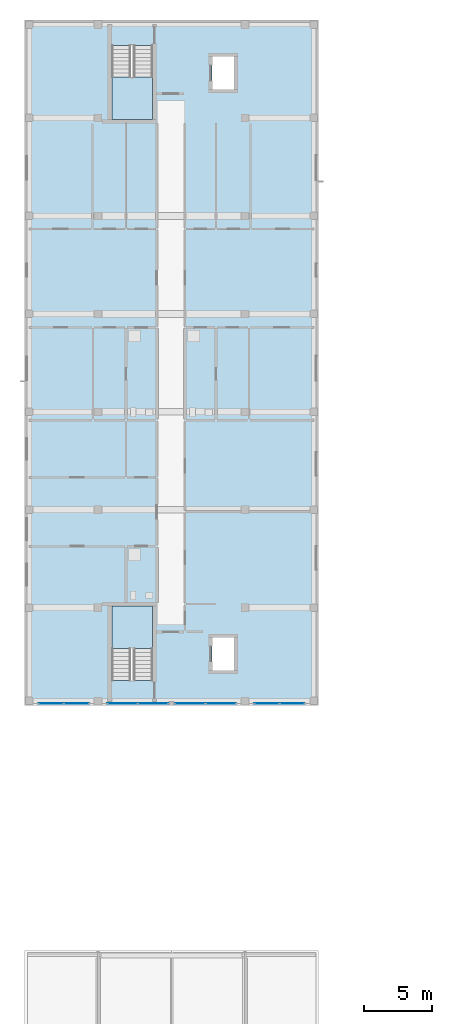
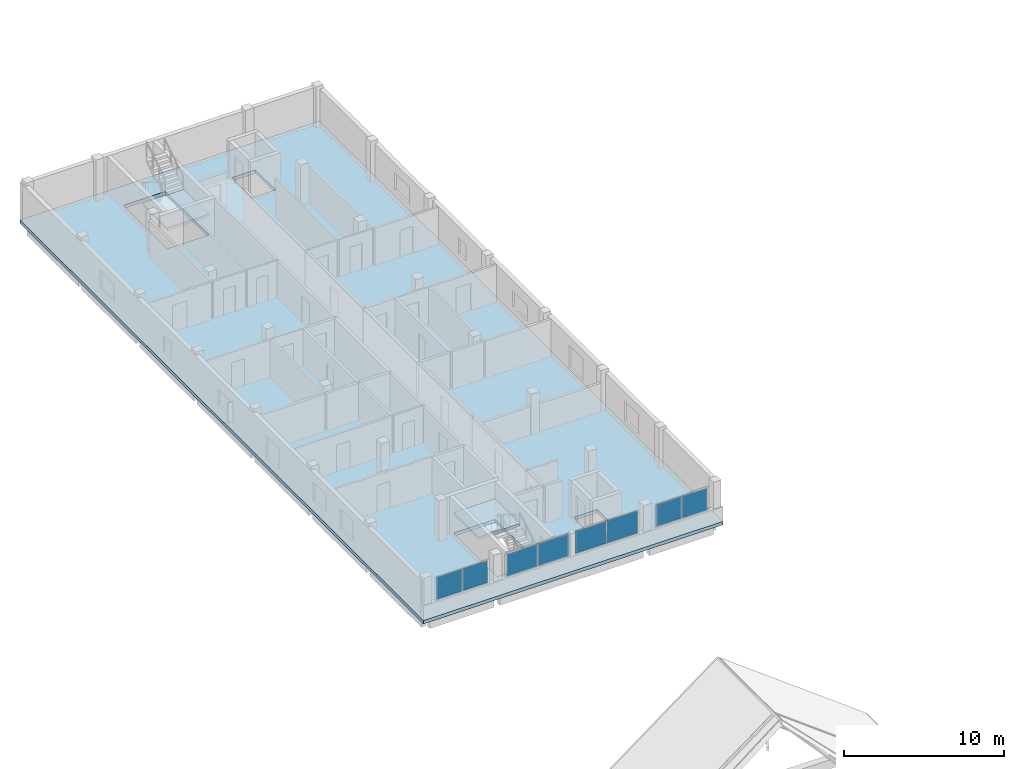
# One storey, part 8 of 35: 8 plates, 3 slabs, 6 elements without a shape of their own.
"""IFC4 building model written with IfcOpenShell, lengths in metres."""

from ifc_helpers import new_model, si_unit, derived_unit, direction, frame, origin, origin_2d, place, context, subcontext, project, spatial, polyline, rectangle, outline, extrude, material, layer, layer_set, type_object, element, aggregate, save


model = new_model("IFC4")

# Units and contexts
model_context = context("Model", 3, precision=1e-05, world=origin(), true_north=direction((0.0, 1.0)))
body_context = subcontext(model_context, "Body", "Model", "MODEL_VIEW")
ifc_project = project(units=[si_unit("LENGTHUNIT", "METRE"), si_unit("AREAUNIT", "SQUARE_METRE"), si_unit("VOLUMEUNIT", "CUBIC_METRE"), si_unit("PLANEANGLEUNIT", "RADIAN"), si_unit("MASSUNIT", "GRAM", prefix="KILO"), derived_unit("THERMALTRANSMITTANCEUNIT", [(si_unit("MASSUNIT", "GRAM", prefix="KILO"), 1), (si_unit("TIMEUNIT", "SECOND"), -3), (si_unit("THERMODYNAMICTEMPERATUREUNIT", "KELVIN"), -1)])], contexts=[model_context])

# Site, building, storey
site_placement = place(None, origin())
site = spatial("IfcSite", under=ifc_project, at=site_placement, CompositionType="ELEMENT")
building_placement = place(site_placement, origin())
building = spatial("IfcBuilding", under=site, at=building_placement, Name="Ochrekiln Boulevard Commons", CompositionType="ELEMENT")
storey_placement = place(building_placement, frame((0.0, 0.0, 30.97509765625)))
storey = spatial("IfcBuildingStorey", under=building, at=storey_placement, Name="L09", CompositionType="ELEMENT", Elevation=30.97509765625)

# Curtain wall, plates
ifc_material_1 = material(Name="Bronze-anodized extruded aluminium 6063-T6", Category="aluminium")
ifc_layer_1 = layer(ifc_material_1, 0.172119140625)
ifc_layer_set_1 = layer_set([ifc_layer_1], Name="Bronze-anodized extruded aluminium 6063-T6")
curtain_wall_type = type_object("IfcCurtainWallType", Name="CW-GABLE-A", PredefinedType="USERDEFINED", material=ifc_layer_set_1)
curtain_wall_1_placement = place(storey_placement, origin())
curtain_wall_1 = element("IfcCurtainWall", 1, at=curtain_wall_1_placement, inside=storey, type_object=curtain_wall_type, Name="Block A L09 Courtyard Glazed Gable Curtain Wall 4", ObjectType="GLAZED CURTAIN WALL", PredefinedType="USERDEFINED")
ifc_material_2 = material(Name="Spectrally selective low-E insulated glazing", Category="glass")
ifc_layer_2 = layer(ifc_material_2, 0.02392578125)
ifc_layer_set_2 = layer_set([ifc_layer_2], Name="Spectrally selective low-E insulated glazing")
plate_type_1 = type_object("IfcPlateType", Name="CWP-GLZ-1", PredefinedType="CURTAIN_PANEL", material=ifc_layer_set_2)
plate_1_placement = place(storey_placement, frame((17.788818359375, 68.56005859375, 1.1748046875), z_axis=(0.0, 0.0, 1.0), x_axis=(1.0, 0.0, 0.0)))
plate_1 = element("IfcPlate", 2, at=plate_1_placement, type_object=plate_type_1, Name="CW-01 panel 1.1", PredefinedType="CURTAIN_PANEL", context=body_context, shape_type="SweptSolid", body=[
    extrude(rectangle(XDim=1.8076171875, YDim=0.02392578125, at=origin_2d()), origin(), (0.0, 0.0, 1.0), 1.659912109375),
])
plate_2_placement = place(storey_placement, frame((19.6611328125, 68.56005859375, 1.1748046875), z_axis=(0.0, 0.0, 1.0), x_axis=(1.0, 0.0, 0.0)))
plate_2 = element("IfcPlate", 3, at=plate_2_placement, type_object=plate_type_1, Name="CW-01 panel 2.1", PredefinedType="CURTAIN_PANEL", context=body_context, shape_type="SweptSolid", body=[
    extrude(rectangle(XDim=1.8076171875, YDim=0.02392578125, at=origin_2d()), origin(), (0.0, 0.0, 1.0), 1.659912109375),
])
aggregate(curtain_wall_1, [plate_1, plate_2])

curtain_wall_2_placement = place(storey_placement, origin())
curtain_wall_2 = element("IfcCurtainWall", 4, at=curtain_wall_2_placement, inside=storey, type_object=curtain_wall_type, Name="Block A L09 Courtyard Glazed Gable Curtain Wall 1", ObjectType="GLAZED CURTAIN WALL", PredefinedType="USERDEFINED")
ifc_layer_3 = layer(ifc_material_2, 0.030029296875)
ifc_layer_set_3 = layer_set([ifc_layer_3], Name="Spectrally selective low-E insulated glazing")
plate_type_2 = type_object("IfcPlateType", Name="CWP-GLZ-2", PredefinedType="CURTAIN_PANEL", material=ifc_layer_set_3)
plate_3_placement = place(storey_placement, frame((1.9375, 68.56005859375, 1.169921875), z_axis=(0.0, 0.0, 1.0), x_axis=(1.0, 0.0, 0.0)))
plate_3 = element("IfcPlate", 5, at=plate_3_placement, type_object=plate_type_2, Name="CW-01 panel 1.1", PredefinedType="CURTAIN_PANEL", context=body_context, shape_type="SweptSolid", body=[
    extrude(rectangle(XDim=1.81494140625, YDim=0.030029296875, at=origin_2d()), origin(), (0.0, 0.0, 1.0), 1.669921875),
])
plate_4_placement = place(storey_placement, frame((3.8125, 68.56005859375, 1.169921875), z_axis=(0.0, 0.0, 1.0), x_axis=(1.0, 0.0, 0.0)))
plate_4 = element("IfcPlate", 6, at=plate_4_placement, type_object=plate_type_2, Name="CW-01 panel 2.1", PredefinedType="CURTAIN_PANEL", context=body_context, shape_type="SweptSolid", body=[
    extrude(rectangle(XDim=1.81494140625, YDim=0.030029296875, at=origin_2d()), origin(), (0.0, 0.0, 1.0), 1.669921875),
])
aggregate(curtain_wall_2, [plate_3, plate_4])

curtain_wall_3_placement = place(storey_placement, origin())
curtain_wall_3 = element("IfcCurtainWall", 7, at=curtain_wall_3_placement, inside=storey, type_object=curtain_wall_type, Name="Block A L09 Courtyard Glazed Gable Curtain Wall 2", ObjectType="GLAZED CURTAIN WALL", PredefinedType="USERDEFINED")
ifc_layer_4 = layer(ifc_material_2, 0.035888671875)
ifc_layer_set_4 = layer_set([ifc_layer_4], Name="Spectrally selective low-E insulated glazing")
plate_type_3 = type_object("IfcPlateType", Name="CWP-GLZ-3", PredefinedType="CURTAIN_PANEL", material=ifc_layer_set_4)
plate_5_placement = place(storey_placement, frame((7.18115234375, 68.56005859375, 1.1748046875), z_axis=(0.0, 0.0, 1.0), x_axis=(1.0, 0.0, 0.0)))
plate_5 = element("IfcPlate", 8, at=plate_5_placement, type_object=plate_type_3, Name="CW-01 panel 1.1", PredefinedType="CURTAIN_PANEL", context=body_context, shape_type="SweptSolid", body=[
    extrude(rectangle(XDim=2.1923828125, YDim=0.035888671875, at=origin_2d()), origin(), (0.0, 0.0, 1.0), 1.659912109375),
])
plate_6_placement = place(storey_placement, frame((9.438720703125, 68.56005859375, 1.1748046875), z_axis=(0.0, 0.0, 1.0), x_axis=(1.0, 0.0, 0.0)))
plate_6 = element("IfcPlate", 9, at=plate_6_placement, type_object=plate_type_3, Name="CW-01 panel 2.1", PredefinedType="CURTAIN_PANEL", context=body_context, shape_type="SweptSolid", body=[
    extrude(rectangle(XDim=2.1923828125, YDim=0.035888671875, at=origin_2d()), origin(), (0.0, 0.0, 1.0), 1.659912109375),
])
aggregate(curtain_wall_3, [plate_5, plate_6])

curtain_wall_4_placement = place(storey_placement, origin())
curtain_wall_4 = element("IfcCurtainWall", 10, at=curtain_wall_4_placement, inside=storey, type_object=curtain_wall_type, Name="Block A L09 Courtyard Glazed Gable Curtain Wall 3", ObjectType="GLAZED CURTAIN WALL", PredefinedType="USERDEFINED")
ifc_layer_5 = layer(ifc_material_2, 0.0419921875)
ifc_layer_set_5 = layer_set([ifc_layer_5], Name="Spectrally selective low-E insulated glazing")
plate_type_4 = type_object("IfcPlateType", Name="CWP-GLZ-4", PredefinedType="CURTAIN_PANEL", material=ifc_layer_set_5)
plate_7_placement = place(storey_placement, frame((12.159912109375, 68.56005859375, 1.169921875), z_axis=(0.0, 0.0, 1.0), x_axis=(1.0, 0.0, 0.0)))
plate_7 = element("IfcPlate", 11, at=plate_7_placement, type_object=plate_type_4, Name="CW-01 panel 1.1", PredefinedType="CURTAIN_PANEL", context=body_context, shape_type="SweptSolid", body=[
    extrude(rectangle(XDim=2.199951171875, YDim=0.0419921875, at=origin_2d()), origin(), (0.0, 0.0, 1.0), 1.669921875),
])
plate_8_placement = place(storey_placement, frame((14.419921875, 68.56005859375, 1.169921875), z_axis=(0.0, 0.0, 1.0), x_axis=(1.0, 0.0, 0.0)))
plate_8 = element("IfcPlate", 12, at=plate_8_placement, type_object=plate_type_4, Name="CW-01 panel 2.1", PredefinedType="CURTAIN_PANEL", context=body_context, shape_type="SweptSolid", body=[
    extrude(rectangle(XDim=2.199951171875, YDim=0.0419921875, at=origin_2d()), origin(), (0.0, 0.0, 1.0), 1.669921875),
])
aggregate(curtain_wall_4, [plate_7, plate_8])

# Stair, slab
ifc_material_3 = material(Name="Concrete C35/45", Category="concrete")
stair_type = type_object("IfcStairType", Name="STR-DL-315", PredefinedType="TWO_STRAIGHT_RUN_STAIR", material=ifc_material_3)
stair_1_placement = place(storey_placement, origin())
stair_1 = element("IfcStair", 13, at=stair_1_placement, inside=storey, type_object=stair_type, Name="L09 Enclosed Exit Stair ST-A1", PredefinedType="TWO_STRAIGHT_RUN_STAIR")
ifc_layer_6 = layer(ifc_material_3, 0.199951171875)
ifc_layer_set_6 = layer_set([ifc_layer_6], Name="Concrete C35/45")
slab_type_1 = type_object("IfcSlabType", Name="SLB-LND-200", PredefinedType="LANDING", material=ifc_layer_set_6)
slab_1_placement = place(storey_placement, frame((0.0, 0.0, 1.375)))
slab_1 = element("IfcSlab", 14, at=slab_1_placement, type_object=slab_type_1, Name="ST-A1 landing 1", PredefinedType="LANDING", context=body_context, shape_type="SweptSolid", body=[
    extrude(outline(polyline([(9.39990234375, 72.590087890625), (9.39990234375, 75.719970703125), (6.39990234375, 75.719970703125), (6.39990234375, 72.590087890625), (9.39990234375, 72.590087890625)])), origin(), (0.0, 0.0, 1.0), 0.199951171875),
])
aggregate(stair_1, [slab_1])

stair_2_placement = place(storey_placement, origin())
stair_2 = element("IfcStair", 15, at=stair_2_placement, inside=storey, type_object=stair_type, Name="L09 Enclosed Exit Stair ST-A2", PredefinedType="TWO_STRAIGHT_RUN_STAIR")
slab_2_placement = place(storey_placement, frame((0.0, 0.0, 1.375)))
slab_2 = element("IfcSlab", 16, at=slab_2_placement, type_object=slab_type_1, Name="ST-A2 landing 1", PredefinedType="LANDING", context=body_context, shape_type="SweptSolid", body=[
    extrude(outline(polyline([(6.39990234375, 114.610107421875), (6.39990234375, 111.47998046875), (9.39990234375, 111.47998046875), (9.39990234375, 114.610107421875), (6.39990234375, 114.610107421875)])), origin(), (0.0, 0.0, 1.0), 0.199951171875),
])
aggregate(stair_2, [slab_2])

# Slab
ifc_layer_7 = layer(ifc_material_3, 0.260009765625)
ifc_layer_set_7 = layer_set([ifc_layer_7], Name="Concrete C35/45")
slab_type_2 = type_object("IfcSlabType", Name="SLB-RES-260", PredefinedType="FLOOR", material=ifc_layer_set_7)
slab_3_placement = place(storey_placement, frame((0.0, 0.0, -0.260009765625)))
element("IfcSlab", 17, at=slab_3_placement, inside=storey, type_object=slab_type_2, Name="Block A L09 Reinforced Concrete Floor Slab", PredefinedType="FLOOR", context=body_context, shape_type="SweptSolid", body=[
    extrude(outline(polyline([(0.0, 68.39990234375), (21.60009765625, 68.39990234375), (21.60009765625, 118.800048828125), (0.0, 118.800048828125), (0.0, 68.39990234375)]), holes=[polyline([(9.39990234375, 70.2705078125), (9.39990234375, 75.719970703125), (6.39990234375, 75.719970703125), (6.39990234375, 70.2705078125), (9.39990234375, 70.2705078125)]), polyline([(6.39990234375, 116.929443359375), (6.39990234375, 111.47998046875), (9.39990234375, 111.47998046875), (9.39990234375, 116.929443359375), (6.39990234375, 116.929443359375)]), polyline([(13.75, 70.949951171875), (15.449951171875, 70.949951171875), (15.449951171875, 73.449951171875), (13.75, 73.449951171875), (13.75, 70.949951171875)]), polyline([(13.75, 113.64990234375), (15.449951171875, 113.64990234375), (15.449951171875, 116.14990234375), (13.75, 116.14990234375), (13.75, 113.64990234375)])]), origin(), (0.0, 0.0, 1.0), 0.260009765625),
])

save(model, "model.ifc")
